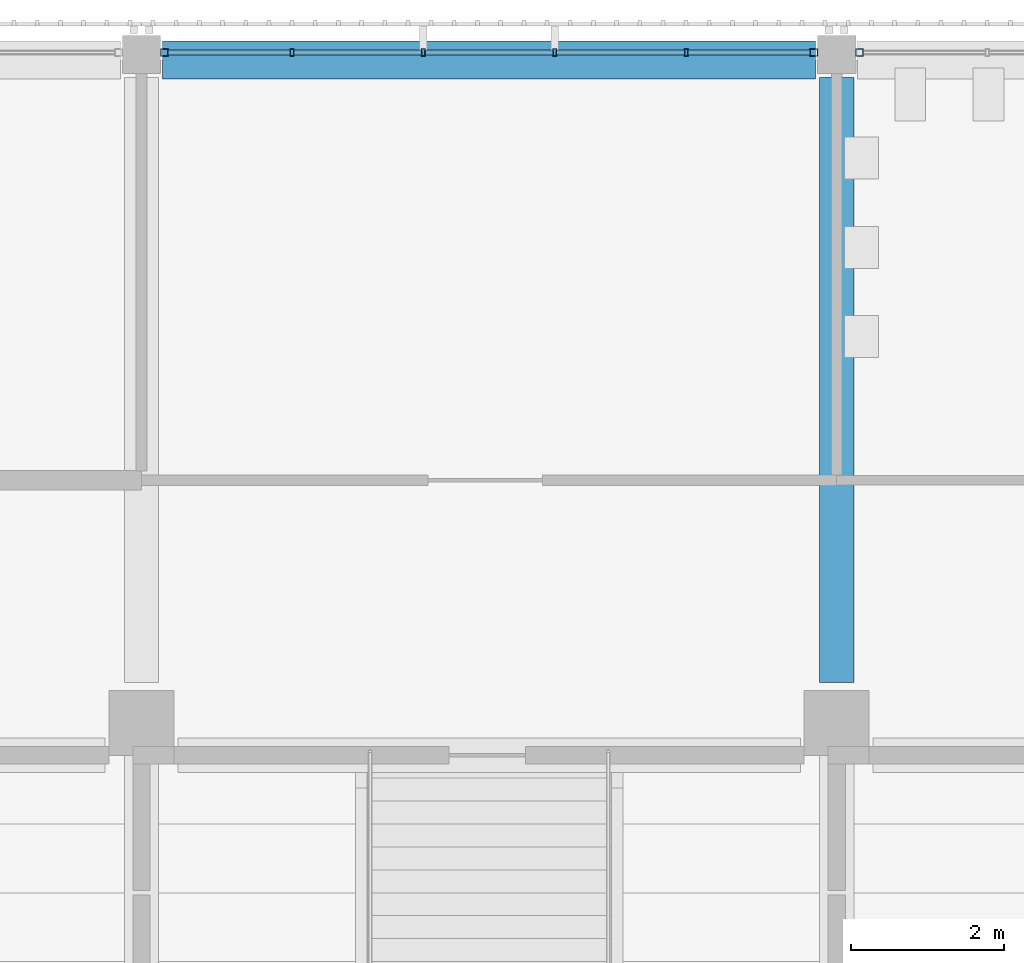
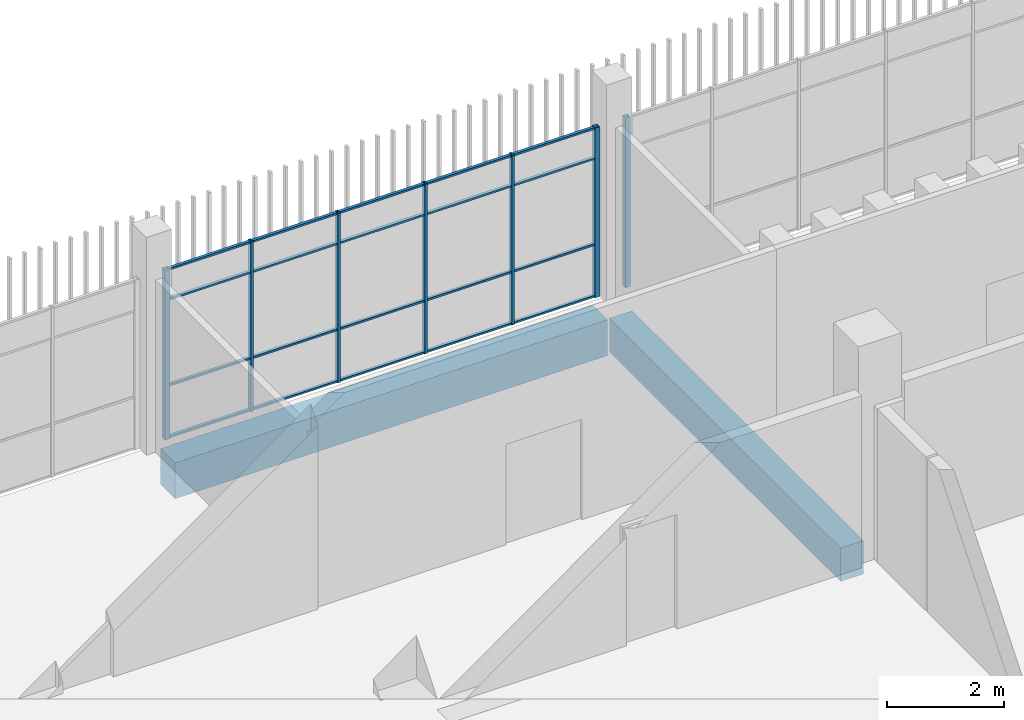
# One storey, part 44 of 139: 27 members, 2 beams, 2 elements without a shape of their own.
"""IFC4 building model written with IfcOpenShell, lengths in metres."""

from ifc_helpers import new_model, si_unit, direction, frame, origin, origin_2d, place, context, subcontext, project, spatial, rectangle, hollow_rectangle, extrude, material, layer, layer_set, material_profile, profile_set, type_object, element, aggregate, save


model = new_model("IFC4")

# Units and contexts
model_context = context("Model", 3, precision=1e-05, world=origin(), true_north=direction((0.0, 1.0)))
body_context = subcontext(model_context, "Body", "Model", "MODEL_VIEW")
ifc_project = project(units=[si_unit("LENGTHUNIT", "METRE"), si_unit("AREAUNIT", "SQUARE_METRE"), si_unit("VOLUMEUNIT", "CUBIC_METRE"), si_unit("PLANEANGLEUNIT", "RADIAN"), si_unit("MASSUNIT", "GRAM", prefix="KILO")], contexts=[model_context])

# Site, building, storey
site_placement = place(None, origin())
site = spatial("IfcSite", under=ifc_project, at=site_placement, CompositionType="ELEMENT")
building_placement = place(site_placement, origin())
building = spatial("IfcBuilding", under=site, at=building_placement, Name="Shirokan Park Arena", CompositionType="ELEMENT")
storey_placement = place(building_placement, frame((0.0, 0.0, 15.469970703125)))
storey = spatial("IfcBuildingStorey", under=building, at=storey_placement, Name="L03", CompositionType="ELEMENT", Elevation=15.469970703125)

# Curtain wall, member
ifc_material_1 = material(Name="Steel and glass curtain wall", Category="steel")
ifc_layer = layer(ifc_material_1, 0.10009765625)
ifc_layer_set = layer_set([ifc_layer], Name="Steel and glass curtain wall 100 mm")
curtain_wall_type = type_object("IfcCurtainWallType", Name="Curtain wall sheltered bay 100", PredefinedType="NOTDEFINED", material=ifc_layer_set)
curtain_wall_1_placement = place(storey_placement, origin())
curtain_wall_1 = element("IfcCurtainWall", 1, at=curtain_wall_1_placement, inside=storey, type_object=curtain_wall_type, Name="Curtain wall north bay 8 L03", PredefinedType="NOTDEFINED")
ifc_material_2 = material(Name="Steel S355", Category="steel")
ifc_material_profile_1 = material_profile(ifc_material_2, hollow_rectangle(XDim=0.10009765625, YDim=0.10009765625, WallThickness=0.006103515625, at=origin_2d()), Name="RHS 100x100x6")
ifc_profile_set_1 = profile_set([ifc_material_profile_1], Name="Steel S355")
member_type_1 = type_object("IfcMemberType", Name="Mullion RHS 100x100x6", PredefinedType="MULLION", material=ifc_profile_set_1)
member_1_placement = place(storey_placement, frame((73.10009765625, 109.300048828125, 0.0), z_axis=(0.0, 0.0, 1.0), x_axis=(0.0, -1.0, 0.0)))
member_1 = element("IfcMember", 2, at=member_1_placement, type_object=member_type_1, Name="CW2 mullion 6", PredefinedType="MULLION", context=body_context, shape_type="SweptSolid", body=[
    extrude(hollow_rectangle(XDim=0.10009765625, YDim=0.10009765625, WallThickness=0.006103515625, at=origin_2d()), origin(), (0.0, 0.0, 1.0), 3.550048828125),
])
aggregate(curtain_wall_1, [member_1])

# Curtain wall, members
curtain_wall_2_placement = place(storey_placement, origin())
curtain_wall_2 = element("IfcCurtainWall", 3, at=curtain_wall_2_placement, inside=storey, type_object=curtain_wall_type, Name="Curtain wall north bay 9 L03", PredefinedType="NOTDEFINED")
member_2_placement = place(storey_placement, frame((72.5, 109.300048828125, 0.0), z_axis=(0.0, 0.0, 1.0), x_axis=(0.0, -1.0, 0.0)))
member_2 = element("IfcMember", 4, at=member_2_placement, type_object=member_type_1, Name="CW2 mullion 1", PredefinedType="MULLION", context=body_context, shape_type="SweptSolid", body=[
    extrude(hollow_rectangle(XDim=0.10009765625, YDim=0.10009765625, WallThickness=0.006103515625, at=origin_2d()), origin(), (0.0, 0.0, 1.0), 3.550048828125),
])
member_3_placement = place(storey_placement, frame((64.0, 109.300048828125, 0.0), z_axis=(0.0, 0.0, 1.0), x_axis=(0.0, -1.0, 0.0)))
member_3 = element("IfcMember", 5, at=member_3_placement, type_object=member_type_1, Name="CW2 mullion 6", PredefinedType="MULLION", context=body_context, shape_type="SweptSolid", body=[
    extrude(hollow_rectangle(XDim=0.10009765625, YDim=0.10009765625, WallThickness=0.006103515625, at=origin_2d()), origin(), (0.0, 0.0, 1.0), 3.550048828125),
])
ifc_material_profile_2 = material_profile(ifc_material_2, hollow_rectangle(XDim=0.10009765625, YDim=0.050048828125, WallThickness=0.0048828125, at=origin_2d()), Name="RHS 100x50x5")
ifc_profile_set_2 = profile_set([ifc_material_profile_2], Name="Steel S355")
member_type_2 = type_object("IfcMemberType", Name="Mullion RHS 100x50x5", PredefinedType="MULLION", material=ifc_profile_set_2)
member_4_placement = place(storey_placement, frame((70.830078125, 109.300048828125, 0.0), z_axis=(0.0, 0.0, 1.0), x_axis=(0.0, -1.0, 0.0)))
member_4 = element("IfcMember", 6, at=member_4_placement, type_object=member_type_2, Name="CW2 mullion 2", PredefinedType="MULLION", context=body_context, shape_type="SweptSolid", body=[
    extrude(hollow_rectangle(XDim=0.10009765625, YDim=0.050048828125, WallThickness=0.0048828125, at=origin_2d()), origin(), (0.0, 0.0, 1.0), 3.550048828125),
])
member_5_placement = place(storey_placement, frame((69.110107421875, 109.300048828125, 0.0), z_axis=(0.0, 0.0, 1.0), x_axis=(0.0, -1.0, 0.0)))
member_5 = element("IfcMember", 7, at=member_5_placement, type_object=member_type_2, Name="CW2 mullion 3", PredefinedType="MULLION", context=body_context, shape_type="SweptSolid", body=[
    extrude(hollow_rectangle(XDim=0.10009765625, YDim=0.050048828125, WallThickness=0.0048828125, at=origin_2d()), origin(), (0.0, 0.0, 1.0), 3.550048828125),
])
member_6_placement = place(storey_placement, frame((67.389892578125, 109.300048828125, 0.0), z_axis=(0.0, 0.0, 1.0), x_axis=(0.0, -1.0, 0.0)))
member_6 = element("IfcMember", 8, at=member_6_placement, type_object=member_type_2, Name="CW2 mullion 4", PredefinedType="MULLION", context=body_context, shape_type="SweptSolid", body=[
    extrude(hollow_rectangle(XDim=0.10009765625, YDim=0.050048828125, WallThickness=0.0048828125, at=origin_2d()), origin(), (0.0, 0.0, 1.0), 3.550048828125),
])
member_7_placement = place(storey_placement, frame((65.669921875, 109.300048828125, 0.0), z_axis=(0.0, 0.0, 1.0), x_axis=(0.0, -1.0, 0.0)))
member_7 = element("IfcMember", 9, at=member_7_placement, type_object=member_type_2, Name="CW2 mullion 5", PredefinedType="MULLION", context=body_context, shape_type="SweptSolid", body=[
    extrude(hollow_rectangle(XDim=0.10009765625, YDim=0.050048828125, WallThickness=0.0048828125, at=origin_2d()), origin(), (0.0, 0.0, 1.0), 3.550048828125),
])

# Beams
ifc_material_3 = material(Name="Concrete C35", Category="concrete")
ifc_material_profile_3 = material_profile(ifc_material_3, rectangle(XDim=0.449951171875, YDim=0.699951171875, at=origin_2d()), Name="450x700")
ifc_profile_set_3 = profile_set([ifc_material_profile_3], Name="Concrete C35")
beam_type_1 = type_object("IfcBeamType", Name="RC girder 450x700", PredefinedType="BEAM", material=ifc_profile_set_3)
beam_1_placement = place(storey_placement, frame((72.800048828125, 101.050048828125, -0.64990234375), z_axis=(0.0, 1.0, 0.0), x_axis=(-1.0, 0.0, 0.0)))
element("IfcBeam", 10, at=beam_1_placement, inside=storey, type_object=beam_type_1, Name="Girder 9M-9N L03", PredefinedType="BEAM", context=body_context, shape_type="SweptSolid", body=[
    extrude(rectangle(XDim=0.449951171875, YDim=0.699951171875, at=origin_2d()), origin(), (0.0, 0.0, 1.0), 7.9248046875),
])
ifc_material_profile_4 = material_profile(ifc_material_3, rectangle(XDim=0.5, YDim=0.75, at=origin_2d()), Name="500x750")
ifc_profile_set_4 = profile_set([ifc_material_profile_4], Name="Concrete C35")
beam_type_2 = type_object("IfcBeamType", Name="RC girder 500x750", PredefinedType="BEAM", material=ifc_profile_set_4)
beam_2_placement = place(storey_placement, frame((63.97509765625, 109.199951171875, -0.675048828125), z_axis=(1.0, 0.0, 0.0), x_axis=(0.0, 1.0, 0.0)))
element("IfcBeam", 11, at=beam_2_placement, inside=storey, type_object=beam_type_2, Name="Girder 8N-9N L03", PredefinedType="BEAM", context=body_context, shape_type="SweptSolid", body=[
    extrude(rectangle(XDim=0.5, YDim=0.75, at=origin_2d()), origin(), (0.0, 0.0, 1.0), 8.5498046875),
])

# Member
ifc_material_profile_5 = material_profile(ifc_material_2, hollow_rectangle(XDim=0.06005859375, YDim=0.0400390625, WallThickness=0.00390625, at=origin_2d()), Name="RHS 60x40x4")
ifc_profile_set_5 = profile_set([ifc_material_profile_5], Name="Steel S355")
member_type_3 = type_object("IfcMemberType", Name="Transom RHS 60x40x4", PredefinedType="MULLION", material=ifc_profile_set_5)
member_8_placement = place(storey_placement, frame((72.449951171875, 109.300048828125, 0.02001953125), z_axis=(-1.0, 0.0, 0.0), x_axis=(0.0, -1.0, 0.0)))
member_8 = element("IfcMember", 12, at=member_8_placement, type_object=member_type_3, Name="CW2 transom 1.1", PredefinedType="MULLION", context=body_context, shape_type="SweptSolid", body=[
    extrude(hollow_rectangle(XDim=0.06005859375, YDim=0.0400390625, WallThickness=0.00390625, at=origin_2d()), origin(), (0.0, 0.0, 1.0), 1.594970703125),
])

member_9_placement = place(storey_placement, frame((72.449951171875, 109.300048828125, 1.10009765625), z_axis=(-1.0, 0.0, 0.0), x_axis=(0.0, -1.0, 0.0)))
member_9 = element("IfcMember", 13, at=member_9_placement, type_object=member_type_3, Name="CW2 transom 1.2", PredefinedType="MULLION", context=body_context, shape_type="SweptSolid", body=[
    extrude(hollow_rectangle(XDim=0.06005859375, YDim=0.0400390625, WallThickness=0.00390625, at=origin_2d()), origin(), (0.0, 0.0, 1.0), 1.594970703125),
])

member_10_placement = place(storey_placement, frame((72.449951171875, 109.300048828125, 2.900146484375), z_axis=(-1.0, 0.0, 0.0), x_axis=(0.0, -1.0, 0.0)))
member_10 = element("IfcMember", 14, at=member_10_placement, type_object=member_type_3, Name="CW2 transom 1.3", PredefinedType="MULLION", context=body_context, shape_type="SweptSolid", body=[
    extrude(hollow_rectangle(XDim=0.06005859375, YDim=0.0400390625, WallThickness=0.00390625, at=origin_2d()), origin(), (0.0, 0.0, 1.0), 1.594970703125),
])

member_11_placement = place(storey_placement, frame((72.449951171875, 109.300048828125, 3.530029296875), z_axis=(-1.0, 0.0, 0.0), x_axis=(0.0, -1.0, 0.0)))
member_11 = element("IfcMember", 15, at=member_11_placement, type_object=member_type_3, Name="CW2 transom 1.4", PredefinedType="MULLION", context=body_context, shape_type="SweptSolid", body=[
    extrude(hollow_rectangle(XDim=0.06005859375, YDim=0.0400390625, WallThickness=0.00390625, at=origin_2d()), origin(), (0.0, 0.0, 1.0), 1.594970703125),
])

member_12_placement = place(storey_placement, frame((70.804931640625, 109.300048828125, 0.02001953125), z_axis=(-1.0, 0.0, 0.0), x_axis=(0.0, -1.0, 0.0)))
member_12 = element("IfcMember", 16, at=member_12_placement, type_object=member_type_3, Name="CW2 transom 2.1", PredefinedType="MULLION", context=body_context, shape_type="SweptSolid", body=[
    extrude(hollow_rectangle(XDim=0.06005859375, YDim=0.0400390625, WallThickness=0.00390625, at=origin_2d()), origin(), (0.0, 0.0, 1.0), 1.669921875),
])

member_13_placement = place(storey_placement, frame((70.804931640625, 109.300048828125, 1.10009765625), z_axis=(-1.0, 0.0, 0.0), x_axis=(0.0, -1.0, 0.0)))
member_13 = element("IfcMember", 17, at=member_13_placement, type_object=member_type_3, Name="CW2 transom 2.2", PredefinedType="MULLION", context=body_context, shape_type="SweptSolid", body=[
    extrude(hollow_rectangle(XDim=0.06005859375, YDim=0.0400390625, WallThickness=0.00390625, at=origin_2d()), origin(), (0.0, 0.0, 1.0), 1.669921875),
])

member_14_placement = place(storey_placement, frame((70.804931640625, 109.300048828125, 2.900146484375), z_axis=(-1.0, 0.0, 0.0), x_axis=(0.0, -1.0, 0.0)))
member_14 = element("IfcMember", 18, at=member_14_placement, type_object=member_type_3, Name="CW2 transom 2.3", PredefinedType="MULLION", context=body_context, shape_type="SweptSolid", body=[
    extrude(hollow_rectangle(XDim=0.06005859375, YDim=0.0400390625, WallThickness=0.00390625, at=origin_2d()), origin(), (0.0, 0.0, 1.0), 1.669921875),
])

member_15_placement = place(storey_placement, frame((70.804931640625, 109.300048828125, 3.530029296875), z_axis=(-1.0, 0.0, 0.0), x_axis=(0.0, -1.0, 0.0)))
member_15 = element("IfcMember", 19, at=member_15_placement, type_object=member_type_3, Name="CW2 transom 2.4", PredefinedType="MULLION", context=body_context, shape_type="SweptSolid", body=[
    extrude(hollow_rectangle(XDim=0.06005859375, YDim=0.0400390625, WallThickness=0.00390625, at=origin_2d()), origin(), (0.0, 0.0, 1.0), 1.669921875),
])

member_16_placement = place(storey_placement, frame((69.0849609375, 109.300048828125, 0.02001953125), z_axis=(-1.0, 0.0, 0.0), x_axis=(0.0, -1.0, 0.0)))
member_16 = element("IfcMember", 20, at=member_16_placement, type_object=member_type_3, Name="CW2 transom 3.1", PredefinedType="MULLION", context=body_context, shape_type="SweptSolid", body=[
    extrude(hollow_rectangle(XDim=0.06005859375, YDim=0.0400390625, WallThickness=0.00390625, at=origin_2d()), origin(), (0.0, 0.0, 1.0), 1.669921875),
])

member_17_placement = place(storey_placement, frame((69.0849609375, 109.300048828125, 1.10009765625), z_axis=(-1.0, 0.0, 0.0), x_axis=(0.0, -1.0, 0.0)))
member_17 = element("IfcMember", 21, at=member_17_placement, type_object=member_type_3, Name="CW2 transom 3.2", PredefinedType="MULLION", context=body_context, shape_type="SweptSolid", body=[
    extrude(hollow_rectangle(XDim=0.06005859375, YDim=0.0400390625, WallThickness=0.00390625, at=origin_2d()), origin(), (0.0, 0.0, 1.0), 1.669921875),
])

member_18_placement = place(storey_placement, frame((69.0849609375, 109.300048828125, 2.900146484375), z_axis=(-1.0, 0.0, 0.0), x_axis=(0.0, -1.0, 0.0)))
member_18 = element("IfcMember", 22, at=member_18_placement, type_object=member_type_3, Name="CW2 transom 3.3", PredefinedType="MULLION", context=body_context, shape_type="SweptSolid", body=[
    extrude(hollow_rectangle(XDim=0.06005859375, YDim=0.0400390625, WallThickness=0.00390625, at=origin_2d()), origin(), (0.0, 0.0, 1.0), 1.669921875),
])

member_19_placement = place(storey_placement, frame((69.0849609375, 109.300048828125, 3.530029296875), z_axis=(-1.0, 0.0, 0.0), x_axis=(0.0, -1.0, 0.0)))
member_19 = element("IfcMember", 23, at=member_19_placement, type_object=member_type_3, Name="CW2 transom 3.4", PredefinedType="MULLION", context=body_context, shape_type="SweptSolid", body=[
    extrude(hollow_rectangle(XDim=0.06005859375, YDim=0.0400390625, WallThickness=0.00390625, at=origin_2d()), origin(), (0.0, 0.0, 1.0), 1.669921875),
])

member_20_placement = place(storey_placement, frame((67.364990234375, 109.300048828125, 0.02001953125), z_axis=(-1.0, 0.0, 0.0), x_axis=(0.0, -1.0, 0.0)))
member_20 = element("IfcMember", 24, at=member_20_placement, type_object=member_type_3, Name="CW2 transom 4.1", PredefinedType="MULLION", context=body_context, shape_type="SweptSolid", body=[
    extrude(hollow_rectangle(XDim=0.06005859375, YDim=0.0400390625, WallThickness=0.00390625, at=origin_2d()), origin(), (0.0, 0.0, 1.0), 1.669921875),
])

member_21_placement = place(storey_placement, frame((67.364990234375, 109.300048828125, 1.10009765625), z_axis=(-1.0, 0.0, 0.0), x_axis=(0.0, -1.0, 0.0)))
member_21 = element("IfcMember", 25, at=member_21_placement, type_object=member_type_3, Name="CW2 transom 4.2", PredefinedType="MULLION", context=body_context, shape_type="SweptSolid", body=[
    extrude(hollow_rectangle(XDim=0.06005859375, YDim=0.0400390625, WallThickness=0.00390625, at=origin_2d()), origin(), (0.0, 0.0, 1.0), 1.669921875),
])

member_22_placement = place(storey_placement, frame((67.364990234375, 109.300048828125, 2.900146484375), z_axis=(-1.0, 0.0, 0.0), x_axis=(0.0, -1.0, 0.0)))
member_22 = element("IfcMember", 26, at=member_22_placement, type_object=member_type_3, Name="CW2 transom 4.3", PredefinedType="MULLION", context=body_context, shape_type="SweptSolid", body=[
    extrude(hollow_rectangle(XDim=0.06005859375, YDim=0.0400390625, WallThickness=0.00390625, at=origin_2d()), origin(), (0.0, 0.0, 1.0), 1.669921875),
])

member_23_placement = place(storey_placement, frame((67.364990234375, 109.300048828125, 3.530029296875), z_axis=(-1.0, 0.0, 0.0), x_axis=(0.0, -1.0, 0.0)))
member_23 = element("IfcMember", 27, at=member_23_placement, type_object=member_type_3, Name="CW2 transom 4.4", PredefinedType="MULLION", context=body_context, shape_type="SweptSolid", body=[
    extrude(hollow_rectangle(XDim=0.06005859375, YDim=0.0400390625, WallThickness=0.00390625, at=origin_2d()), origin(), (0.0, 0.0, 1.0), 1.669921875),
])

member_24_placement = place(storey_placement, frame((65.64501953125, 109.300048828125, 0.02001953125), z_axis=(-1.0, 0.0, 0.0), x_axis=(0.0, -1.0, 0.0)))
member_24 = element("IfcMember", 28, at=member_24_placement, type_object=member_type_3, Name="CW2 transom 5.1", PredefinedType="MULLION", context=body_context, shape_type="SweptSolid", body=[
    extrude(hollow_rectangle(XDim=0.06005859375, YDim=0.0400390625, WallThickness=0.00390625, at=origin_2d()), origin(), (0.0, 0.0, 1.0), 1.594970703125),
])

member_25_placement = place(storey_placement, frame((65.64501953125, 109.300048828125, 1.10009765625), z_axis=(-1.0, 0.0, 0.0), x_axis=(0.0, -1.0, 0.0)))
member_25 = element("IfcMember", 29, at=member_25_placement, type_object=member_type_3, Name="CW2 transom 5.2", PredefinedType="MULLION", context=body_context, shape_type="SweptSolid", body=[
    extrude(hollow_rectangle(XDim=0.06005859375, YDim=0.0400390625, WallThickness=0.00390625, at=origin_2d()), origin(), (0.0, 0.0, 1.0), 1.594970703125),
])

member_26_placement = place(storey_placement, frame((65.64501953125, 109.300048828125, 2.900146484375), z_axis=(-1.0, 0.0, 0.0), x_axis=(0.0, -1.0, 0.0)))
member_26 = element("IfcMember", 30, at=member_26_placement, type_object=member_type_3, Name="CW2 transom 5.3", PredefinedType="MULLION", context=body_context, shape_type="SweptSolid", body=[
    extrude(hollow_rectangle(XDim=0.06005859375, YDim=0.0400390625, WallThickness=0.00390625, at=origin_2d()), origin(), (0.0, 0.0, 1.0), 1.594970703125),
])

member_27_placement = place(storey_placement, frame((65.64501953125, 109.300048828125, 3.530029296875), z_axis=(-1.0, 0.0, 0.0), x_axis=(0.0, -1.0, 0.0)))
member_27 = element("IfcMember", 31, at=member_27_placement, type_object=member_type_3, Name="CW2 transom 5.4", PredefinedType="MULLION", context=body_context, shape_type="SweptSolid", body=[
    extrude(hollow_rectangle(XDim=0.06005859375, YDim=0.0400390625, WallThickness=0.00390625, at=origin_2d()), origin(), (0.0, 0.0, 1.0), 1.594970703125),
])

aggregate(curtain_wall_2, [member_2, member_4, member_5, member_6, member_7, member_3, member_8, member_9, member_10, member_11, member_12, member_13, member_14, member_15, member_16, member_17, member_18, member_19, member_20, member_21, member_22, member_23, member_24, member_25, member_26, member_27])

save(model, "model.ifc")
